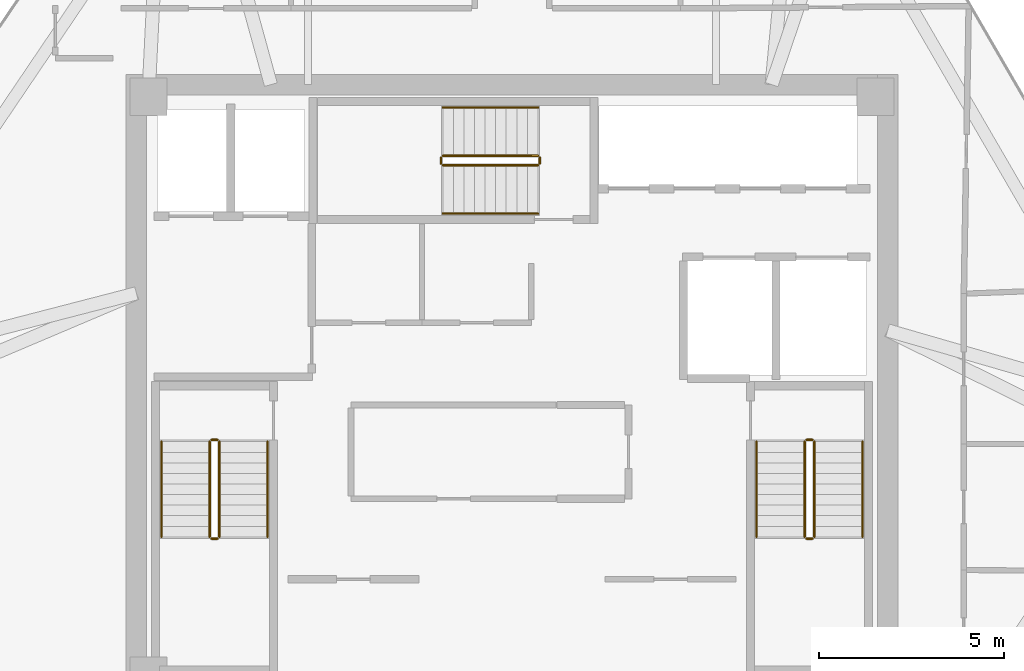
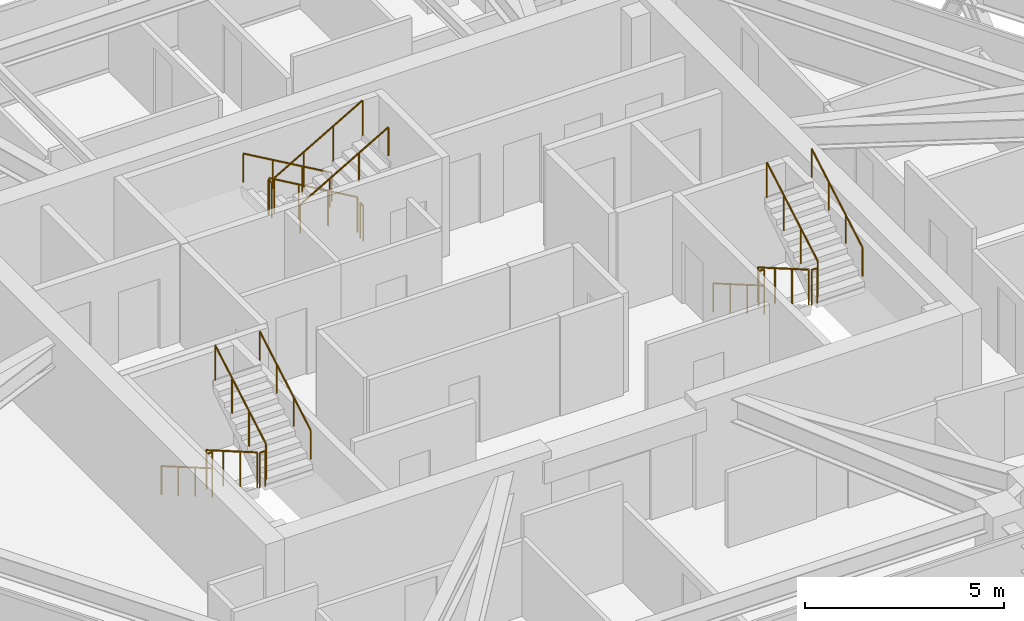
# One storey, part 13 of 13: 18 railings.
"""IFC4 building model written with IfcOpenShell, lengths in metres."""

from ifc_helpers import new_model, si_unit, direction, frame, origin, origin_2d, place, context, subcontext, project, spatial, circle, extrude, material, type_object, element, save


model = new_model("IFC4")

# Units and contexts
model_context = context("Model", 3, precision=1e-05, world=origin(), true_north=direction((0.0, 1.0)))
body_context = subcontext(model_context, "Body", "Model", "MODEL_VIEW")
ifc_project = project(units=[si_unit("LENGTHUNIT", "METRE"), si_unit("AREAUNIT", "SQUARE_METRE"), si_unit("VOLUMEUNIT", "CUBIC_METRE"), si_unit("PLANEANGLEUNIT", "RADIAN"), si_unit("MASSUNIT", "GRAM", prefix="KILO")], contexts=[model_context])

# Site, building, storey
site_placement = place(None, origin())
site = spatial("IfcSite", under=ifc_project, at=site_placement, CompositionType="ELEMENT")
building_placement = place(site_placement, origin())
building = spatial("IfcBuilding", under=site, at=building_placement, Name="Durnholm Broadcast Tower", CompositionType="ELEMENT")
storey_placement = place(building_placement, frame((0.0, 0.0, 228.199951171875)))
storey = spatial("IfcBuildingStorey", under=building, at=storey_placement, Name="L63", CompositionType="ELEMENT", Elevation=228.199951171875)

# Railings
ifc_material_1 = material(Name="Painted Tubular Steel Stair Guardrail", Category="steel")
railing_type_1 = type_object("IfcRailingType", Name="RAIL-ST-GRD", PredefinedType="GUARDRAIL", material=ifc_material_1)
railing_1_placement = place(storey_placement, frame((-8.14990234375, -1.5, 0.1650390625)))
element("IfcRailing", 1, at=railing_1_placement, inside=storey, type_object=railing_type_1, Name="L63 ST-1 stair guard 1", PredefinedType="GUARDRAIL", context=body_context, shape_type="SweptSolid", body=[
    extrude(circle(Radius=0.02392578125, at=origin_2d()), frame((0.0, 0.0, 1.076171875), z_axis=(0.0, -0.865405606168, 0.501071987656), x_axis=(1.0, 0.0, 0.0)), (0.0, 0.0, 1.0), 2.9638671875),
    extrude(circle(Radius=0.02099609375, at=origin_2d()), origin(), (0.0, 0.0, 1.0), 1.052001953125),
    extrude(circle(Radius=0.02099609375, at=origin_2d()), frame((0.0, -0.85498046875, 0.4951171875)), (0.0, 0.0, 1.0), 1.052001953125),
    extrude(circle(Radius=0.02099609375, at=origin_2d()), frame((0.0, -1.7099609375, 0.989990234375)), (0.0, 0.0, 1.0), 1.052001953125),
    extrude(circle(Radius=0.02099609375, at=origin_2d()), frame((0.0, -2.56494140625, 1.485107421875)), (0.0, 0.0, 1.0), 1.052001953125),
])
railing_2_placement = place(storey_placement, frame((-8.10009765625, -4.114990234375, 1.650146484375)))
element("IfcRailing", 2, at=railing_2_placement, inside=storey, type_object=railing_type_1, Name="L63 ST-1 stair guard 2", PredefinedType="GUARDRAIL", context=body_context, shape_type="SweptSolid", body=[
    extrude(circle(Radius=0.02392578125, at=origin_2d()), frame((0.0, 0.0, 1.076171875), z_axis=(1.0, 0.0, 0.0), x_axis=(0.0, 1.0, 0.0)), (0.0, 0.0, 1.0), 0.16015625),
    extrude(circle(Radius=0.02099609375, at=origin_2d()), origin(), (0.0, 0.0, 1.0), 1.052001953125),
    extrude(circle(Radius=0.02099609375, at=origin_2d()), frame((0.16015625, 0.0, 0.0)), (0.0, 0.0, 1.0), 1.052001953125),
])
railing_3_placement = place(storey_placement, frame((-7.889892578125, -4.06494140625, 1.81494140625)))
element("IfcRailing", 3, at=railing_3_placement, inside=storey, type_object=railing_type_1, Name="L63 ST-1 stair guard 3", PredefinedType="GUARDRAIL", context=body_context, shape_type="SweptSolid", body=[
    extrude(circle(Radius=0.02392578125, at=origin_2d()), frame((0.0, 0.0, 1.076171875), z_axis=(0.0, 0.865405606168, 0.501071987656), x_axis=(-1.0, 0.0, 0.0)), (0.0, 0.0, 1.0), 2.9638671875),
    extrude(circle(Radius=0.02099609375, at=origin_2d()), origin(), (0.0, 0.0, 1.0), 1.052001953125),
    extrude(circle(Radius=0.02099609375, at=origin_2d()), frame((0.0, 0.85498046875, 0.4951171875)), (0.0, 0.0, 1.0), 1.052001953125),
    extrude(circle(Radius=0.02099609375, at=origin_2d()), frame((0.0, 1.7099609375, 0.989990234375)), (0.0, 0.0, 1.0), 1.052001953125),
    extrude(circle(Radius=0.02099609375, at=origin_2d()), frame((0.0, 2.56494140625, 1.485107421875)), (0.0, 0.0, 1.0), 1.052001953125),
])
railing_4_placement = place(storey_placement, frame((-8.10009765625, -1.449951171875, 0.0)))
element("IfcRailing", 4, at=railing_4_placement, inside=storey, type_object=railing_type_1, Name="L63 ST-1 stair guard 4", PredefinedType="GUARDRAIL", context=body_context, shape_type="SweptSolid", body=[
    extrude(circle(Radius=0.02392578125, at=origin_2d()), frame((0.0, 0.0, 1.076171875), z_axis=(1.0, 0.0, 0.0), x_axis=(0.0, 1.0, 0.0)), (0.0, 0.0, 1.0), 0.16015625),
    extrude(circle(Radius=0.02099609375, at=origin_2d()), origin(), (0.0, 0.0, 1.0), 1.052001953125),
    extrude(circle(Radius=0.02099609375, at=origin_2d()), frame((0.16015625, 0.0, 0.0)), (0.0, 0.0, 1.0), 1.052001953125),
])
railing_5_placement = place(storey_placement, frame((7.889892578125, -1.5, 0.1650390625)))
element("IfcRailing", 5, at=railing_5_placement, inside=storey, type_object=railing_type_1, Name="L63 ST-2 stair guard 1", PredefinedType="GUARDRAIL", context=body_context, shape_type="SweptSolid", body=[
    extrude(circle(Radius=0.02392578125, at=origin_2d()), frame((0.0, 0.0, 1.076171875), z_axis=(0.0, -0.865405606168, 0.501071987656), x_axis=(1.0, 0.0, 0.0)), (0.0, 0.0, 1.0), 2.9638671875),
    extrude(circle(Radius=0.02099609375, at=origin_2d()), origin(), (0.0, 0.0, 1.0), 1.052001953125),
    extrude(circle(Radius=0.02099609375, at=origin_2d()), frame((0.0, -0.85498046875, 0.4951171875)), (0.0, 0.0, 1.0), 1.052001953125),
    extrude(circle(Radius=0.02099609375, at=origin_2d()), frame((0.0, -1.7099609375, 0.989990234375)), (0.0, 0.0, 1.0), 1.052001953125),
    extrude(circle(Radius=0.02099609375, at=origin_2d()), frame((0.0, -2.56494140625, 1.485107421875)), (0.0, 0.0, 1.0), 1.052001953125),
])
railing_6_placement = place(storey_placement, frame((7.93994140625, -4.114990234375, 1.650146484375)))
element("IfcRailing", 6, at=railing_6_placement, inside=storey, type_object=railing_type_1, Name="L63 ST-2 stair guard 2", PredefinedType="GUARDRAIL", context=body_context, shape_type="SweptSolid", body=[
    extrude(circle(Radius=0.02392578125, at=origin_2d()), frame((0.0, 0.0, 1.076171875), z_axis=(1.0, 0.0, 0.0), x_axis=(0.0, 1.0, 0.0)), (0.0, 0.0, 1.0), 0.16015625),
    extrude(circle(Radius=0.02099609375, at=origin_2d()), origin(), (0.0, 0.0, 1.0), 1.052001953125),
    extrude(circle(Radius=0.02099609375, at=origin_2d()), frame((0.16015625, 0.0, 0.0)), (0.0, 0.0, 1.0), 1.052001953125),
])
railing_7_placement = place(storey_placement, frame((8.14990234375, -4.06494140625, 1.81494140625)))
element("IfcRailing", 7, at=railing_7_placement, inside=storey, type_object=railing_type_1, Name="L63 ST-2 stair guard 3", PredefinedType="GUARDRAIL", context=body_context, shape_type="SweptSolid", body=[
    extrude(circle(Radius=0.02392578125, at=origin_2d()), frame((0.0, 0.0, 1.076171875), z_axis=(0.0, 0.865405606168, 0.501071987656), x_axis=(-1.0, 0.0, 0.0)), (0.0, 0.0, 1.0), 2.9638671875),
    extrude(circle(Radius=0.02099609375, at=origin_2d()), origin(), (0.0, 0.0, 1.0), 1.052001953125),
    extrude(circle(Radius=0.02099609375, at=origin_2d()), frame((0.0, 0.85498046875, 0.4951171875)), (0.0, 0.0, 1.0), 1.052001953125),
    extrude(circle(Radius=0.02099609375, at=origin_2d()), frame((0.0, 1.7099609375, 0.989990234375)), (0.0, 0.0, 1.0), 1.052001953125),
    extrude(circle(Radius=0.02099609375, at=origin_2d()), frame((0.0, 2.56494140625, 1.485107421875)), (0.0, 0.0, 1.0), 1.052001953125),
])
railing_8_placement = place(storey_placement, frame((7.93994140625, -1.449951171875, 0.0)))
element("IfcRailing", 8, at=railing_8_placement, inside=storey, type_object=railing_type_1, Name="L63 ST-2 stair guard 4", PredefinedType="GUARDRAIL", context=body_context, shape_type="SweptSolid", body=[
    extrude(circle(Radius=0.02392578125, at=origin_2d()), frame((0.0, 0.0, 1.076171875), z_axis=(1.0, 0.0, 0.0), x_axis=(0.0, 1.0, 0.0)), (0.0, 0.0, 1.0), 0.16015625),
    extrude(circle(Radius=0.02099609375, at=origin_2d()), origin(), (0.0, 0.0, 1.0), 1.052001953125),
    extrude(circle(Radius=0.02099609375, at=origin_2d()), frame((0.16015625, 0.0, 0.0)), (0.0, 0.0, 1.0), 1.052001953125),
])
railing_9_placement = place(storey_placement, frame((0.699951171875, 6.2099609375, 0.1650390625)))
element("IfcRailing", 9, at=railing_9_placement, inside=storey, type_object=railing_type_1, Name="L63 ST-3 stair guard 1", PredefinedType="GUARDRAIL", context=body_context, shape_type="SweptSolid", body=[
    extrude(circle(Radius=0.02392578125, at=origin_2d()), frame((0.0, 0.0, 1.076171875), z_axis=(-0.865405606168, 0.0, 0.501071987656), x_axis=(0.0, -1.0, 0.0)), (0.0, 0.0, 1.0), 2.9638671875),
    extrude(circle(Radius=0.02099609375, at=origin_2d()), origin(), (0.0, 0.0, 1.0), 1.052001953125),
    extrude(circle(Radius=0.02099609375, at=origin_2d()), frame((-0.85498046875, 0.0, 0.4951171875)), (0.0, 0.0, 1.0), 1.052001953125),
    extrude(circle(Radius=0.02099609375, at=origin_2d()), frame((-1.7099609375, 0.0, 0.989990234375)), (0.0, 0.0, 1.0), 1.052001953125),
    extrude(circle(Radius=0.02099609375, at=origin_2d()), frame((-2.56494140625, 0.0, 1.485107421875)), (0.0, 0.0, 1.0), 1.052001953125),
])
railing_10_placement = place(storey_placement, frame((-1.9150390625, 6.159912109375, 1.650146484375)))
element("IfcRailing", 10, at=railing_10_placement, inside=storey, type_object=railing_type_1, Name="L63 ST-3 stair guard 2", PredefinedType="GUARDRAIL", context=body_context, shape_type="SweptSolid", body=[
    extrude(circle(Radius=0.02392578125, at=origin_2d()), frame((0.0, 0.0, 1.076171875), z_axis=(0.0, -1.0, 0.0), x_axis=(1.0, 0.0, 0.0)), (0.0, 0.0, 1.0), 0.159912109375),
    extrude(circle(Radius=0.02099609375, at=origin_2d()), origin(), (0.0, 0.0, 1.0), 1.052001953125),
    extrude(circle(Radius=0.02099609375, at=origin_2d()), frame((0.0, -0.159912109375, 0.0)), (0.0, 0.0, 1.0), 1.052001953125),
])
railing_11_placement = place(storey_placement, frame((-1.864990234375, 5.949951171875, 1.81494140625)))
element("IfcRailing", 11, at=railing_11_placement, inside=storey, type_object=railing_type_1, Name="L63 ST-3 stair guard 3", PredefinedType="GUARDRAIL", context=body_context, shape_type="SweptSolid", body=[
    extrude(circle(Radius=0.02392578125, at=origin_2d()), frame((0.0, 0.0, 1.076171875), z_axis=(0.865405606168, 0.0, 0.501071987656), x_axis=(0.0, 1.0, 0.0)), (0.0, 0.0, 1.0), 2.9638671875),
    extrude(circle(Radius=0.02099609375, at=origin_2d()), origin(), (0.0, 0.0, 1.0), 1.052001953125),
    extrude(circle(Radius=0.02099609375, at=origin_2d()), frame((0.85498046875, 0.0, 0.4951171875)), (0.0, 0.0, 1.0), 1.052001953125),
    extrude(circle(Radius=0.02099609375, at=origin_2d()), frame((1.7099609375, 0.0, 0.989990234375)), (0.0, 0.0, 1.0), 1.052001953125),
    extrude(circle(Radius=0.02099609375, at=origin_2d()), frame((2.56494140625, 0.0, 1.485107421875)), (0.0, 0.0, 1.0), 1.052001953125),
])
railing_12_placement = place(storey_placement, frame((0.75, 6.159912109375, 0.0)))
element("IfcRailing", 12, at=railing_12_placement, inside=storey, type_object=railing_type_1, Name="L63 ST-3 stair guard 4", PredefinedType="GUARDRAIL", context=body_context, shape_type="SweptSolid", body=[
    extrude(circle(Radius=0.02392578125, at=origin_2d()), frame((0.0, 0.0, 1.076171875), z_axis=(0.0, -1.0, 0.0), x_axis=(1.0, 0.0, 0.0)), (0.0, 0.0, 1.0), 0.159912109375),
    extrude(circle(Radius=0.02099609375, at=origin_2d()), origin(), (0.0, 0.0, 1.0), 1.052001953125),
    extrude(circle(Radius=0.02099609375, at=origin_2d()), frame((0.0, -0.159912109375, 0.0)), (0.0, 0.0, 1.0), 1.052001953125),
])
ifc_material_2 = material(Name="Brushed Stainless Steel Handrail", Category="steel")
railing_type_2 = type_object("IfcRailingType", Name="RAIL-ST-HND", PredefinedType="HANDRAIL", material=ifc_material_2)
railing_13_placement = place(storey_placement, frame((-9.449951171875, -1.5, 0.330078125)))
element("IfcRailing", 13, at=railing_13_placement, inside=storey, type_object=railing_type_2, Name="L63 ST-1 stair handrail 1", PredefinedType="HANDRAIL", context=body_context, shape_type="SweptSolid", body=[
    extrude(circle(Radius=0.02392578125, at=origin_2d()), frame((0.0, 0.0, 0.8759765625), z_axis=(0.0, -0.865441324677, 0.50101029285), x_axis=(1.0, 0.0, 0.0)), (0.0, 0.0, 1.0), 2.963623046875),
    extrude(circle(Radius=0.02099609375, at=origin_2d()), origin(), (0.0, 0.0, 1.0), 0.851806640625),
    extrude(circle(Radius=0.02099609375, at=origin_2d()), frame((0.0, -0.85498046875, 0.494873046875)), (0.0, 0.0, 1.0), 0.851806640625),
    extrude(circle(Radius=0.02099609375, at=origin_2d()), frame((0.0, -1.7099609375, 0.989990234375)), (0.0, 0.0, 1.0), 0.851806640625),
    extrude(circle(Radius=0.02099609375, at=origin_2d()), frame((0.0, -2.56494140625, 1.48486328125)), (0.0, 0.0, 1.0), 0.851806640625),
])
railing_14_placement = place(storey_placement, frame((-6.590087890625, -4.06494140625, 1.97998046875)))
element("IfcRailing", 14, at=railing_14_placement, inside=storey, type_object=railing_type_2, Name="L63 ST-1 stair handrail 2", PredefinedType="HANDRAIL", context=body_context, shape_type="SweptSolid", body=[
    extrude(circle(Radius=0.02392578125, at=origin_2d()), frame((0.0, 0.0, 0.8759765625), z_axis=(0.0, 0.865405606168, 0.501071987656), x_axis=(-1.0, 0.0, 0.0)), (0.0, 0.0, 1.0), 2.9638671875),
    extrude(circle(Radius=0.02099609375, at=origin_2d()), origin(), (0.0, 0.0, 1.0), 0.851806640625),
    extrude(circle(Radius=0.02099609375, at=origin_2d()), frame((0.0, 0.85498046875, 0.4951171875)), (0.0, 0.0, 1.0), 0.851806640625),
    extrude(circle(Radius=0.02099609375, at=origin_2d()), frame((0.0, 1.7099609375, 0.989990234375)), (0.0, 0.0, 1.0), 0.851806640625),
    extrude(circle(Radius=0.02099609375, at=origin_2d()), frame((0.0, 2.56494140625, 1.485107421875)), (0.0, 0.0, 1.0), 0.851806640625),
])
railing_15_placement = place(storey_placement, frame((6.590087890625, -1.5, 0.330078125)))
element("IfcRailing", 15, at=railing_15_placement, inside=storey, type_object=railing_type_2, Name="L63 ST-2 stair handrail 1", PredefinedType="HANDRAIL", context=body_context, shape_type="SweptSolid", body=[
    extrude(circle(Radius=0.02392578125, at=origin_2d()), frame((0.0, 0.0, 0.8759765625), z_axis=(0.0, -0.865441324677, 0.50101029285), x_axis=(1.0, 0.0, 0.0)), (0.0, 0.0, 1.0), 2.963623046875),
    extrude(circle(Radius=0.02099609375, at=origin_2d()), origin(), (0.0, 0.0, 1.0), 0.851806640625),
    extrude(circle(Radius=0.02099609375, at=origin_2d()), frame((0.0, -0.85498046875, 0.494873046875)), (0.0, 0.0, 1.0), 0.851806640625),
    extrude(circle(Radius=0.02099609375, at=origin_2d()), frame((0.0, -1.7099609375, 0.989990234375)), (0.0, 0.0, 1.0), 0.851806640625),
    extrude(circle(Radius=0.02099609375, at=origin_2d()), frame((0.0, -2.56494140625, 1.48486328125)), (0.0, 0.0, 1.0), 0.851806640625),
])
railing_16_placement = place(storey_placement, frame((9.449951171875, -4.06494140625, 1.97998046875)))
element("IfcRailing", 16, at=railing_16_placement, inside=storey, type_object=railing_type_2, Name="L63 ST-2 stair handrail 2", PredefinedType="HANDRAIL", context=body_context, shape_type="SweptSolid", body=[
    extrude(circle(Radius=0.02392578125, at=origin_2d()), frame((0.0, 0.0, 0.8759765625), z_axis=(0.0, 0.865405606168, 0.501071987656), x_axis=(-1.0, 0.0, 0.0)), (0.0, 0.0, 1.0), 2.9638671875),
    extrude(circle(Radius=0.02099609375, at=origin_2d()), origin(), (0.0, 0.0, 1.0), 0.851806640625),
    extrude(circle(Radius=0.02099609375, at=origin_2d()), frame((0.0, 0.85498046875, 0.4951171875)), (0.0, 0.0, 1.0), 0.851806640625),
    extrude(circle(Radius=0.02099609375, at=origin_2d()), frame((0.0, 1.7099609375, 0.989990234375)), (0.0, 0.0, 1.0), 0.851806640625),
    extrude(circle(Radius=0.02099609375, at=origin_2d()), frame((0.0, 2.56494140625, 1.485107421875)), (0.0, 0.0, 1.0), 0.851806640625),
])
railing_17_placement = place(storey_placement, frame((0.699951171875, 7.510009765625, 0.330078125)))
element("IfcRailing", 17, at=railing_17_placement, inside=storey, type_object=railing_type_2, Name="L63 ST-3 stair handrail 1", PredefinedType="HANDRAIL", context=body_context, shape_type="SweptSolid", body=[
    extrude(circle(Radius=0.02392578125, at=origin_2d()), frame((0.0, 0.0, 0.8759765625), z_axis=(-0.865441324677, 0.0, 0.50101029285), x_axis=(0.0, -1.0, 0.0)), (0.0, 0.0, 1.0), 2.963623046875),
    extrude(circle(Radius=0.02099609375, at=origin_2d()), origin(), (0.0, 0.0, 1.0), 0.851806640625),
    extrude(circle(Radius=0.02099609375, at=origin_2d()), frame((-0.85498046875, 0.0, 0.494873046875)), (0.0, 0.0, 1.0), 0.851806640625),
    extrude(circle(Radius=0.02099609375, at=origin_2d()), frame((-1.7099609375, 0.0, 0.989990234375)), (0.0, 0.0, 1.0), 0.851806640625),
    extrude(circle(Radius=0.02099609375, at=origin_2d()), frame((-2.56494140625, 0.0, 1.48486328125)), (0.0, 0.0, 1.0), 0.851806640625),
])
railing_18_placement = place(storey_placement, frame((-1.864990234375, 4.64990234375, 1.97998046875)))
element("IfcRailing", 18, at=railing_18_placement, inside=storey, type_object=railing_type_2, Name="L63 ST-3 stair handrail 2", PredefinedType="HANDRAIL", context=body_context, shape_type="SweptSolid", body=[
    extrude(circle(Radius=0.02392578125, at=origin_2d()), frame((0.0, 0.0, 0.8759765625), z_axis=(0.865405606168, 0.0, 0.501071987656), x_axis=(0.0, 1.0, 0.0)), (0.0, 0.0, 1.0), 2.9638671875),
    extrude(circle(Radius=0.02099609375, at=origin_2d()), origin(), (0.0, 0.0, 1.0), 0.851806640625),
    extrude(circle(Radius=0.02099609375, at=origin_2d()), frame((0.85498046875, 0.0, 0.4951171875)), (0.0, 0.0, 1.0), 0.851806640625),
    extrude(circle(Radius=0.02099609375, at=origin_2d()), frame((1.7099609375, 0.0, 0.989990234375)), (0.0, 0.0, 1.0), 0.851806640625),
    extrude(circle(Radius=0.02099609375, at=origin_2d()), frame((2.56494140625, 0.0, 1.485107421875)), (0.0, 0.0, 1.0), 0.851806640625),
])

save(model, "model.ifc")
